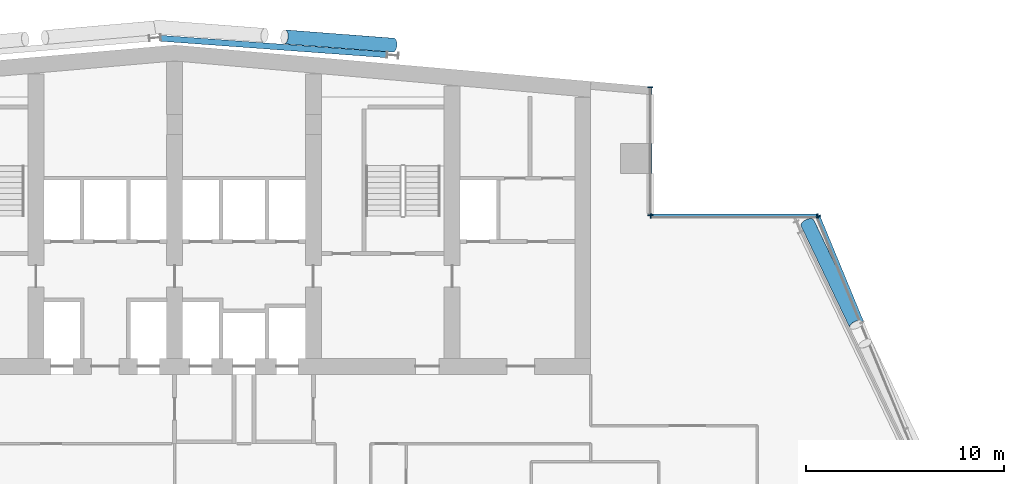
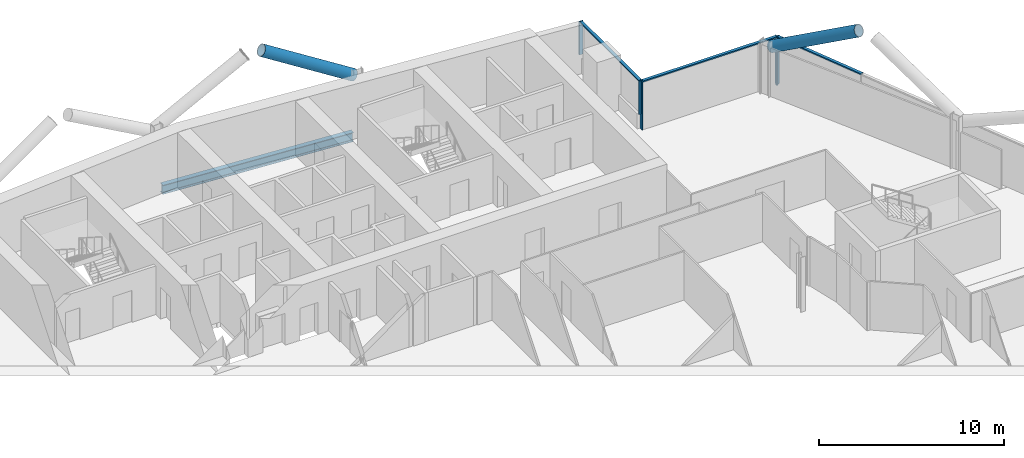
# One storey, part 10 of 26: 10 members, 1 beam, 3 elements without a shape of their own.
"""IFC4 building model written with IfcOpenShell, lengths in metres."""

from ifc_helpers import new_model, si_unit, direction, frame, origin, origin_2d, place, context, subcontext, project, spatial, rectangle, hollow_circle, i_section, extrude, material, material_profile, profile_set, type_object, element, aggregate, save


model = new_model("IFC4")

# Units and contexts
model_context = context("Model", 3, precision=1e-05, world=origin(), true_north=direction((0.0, 1.0)))
body_context = subcontext(model_context, "Body", "Model", "MODEL_VIEW")
ifc_project = project(units=[si_unit("LENGTHUNIT", "METRE"), si_unit("AREAUNIT", "SQUARE_METRE"), si_unit("VOLUMEUNIT", "CUBIC_METRE"), si_unit("PLANEANGLEUNIT", "RADIAN"), si_unit("MASSUNIT", "GRAM", prefix="KILO")], contexts=[model_context])

# Site, building, storey
site_placement = place(None, origin())
site = spatial("IfcSite", under=ifc_project, at=site_placement, CompositionType="ELEMENT")
building_placement = place(site_placement, origin())
building = spatial("IfcBuilding", under=site, at=building_placement, Name="Wharfspan Tower", CompositionType="ELEMENT")
storey_placement = place(building_placement, frame((0.0, 0.0, 169.899902)))
storey = spatial("IfcBuildingStorey", under=building, at=storey_placement, Name="L41", CompositionType="ELEMENT", Elevation=169.899902)

# Beam
ifc_material_1 = material(Name="Steel S355J2", Category="steel")
ifc_material_profile_1 = material_profile(ifc_material_1, i_section(OverallWidth=0.300049, OverallDepth=0.600098, WebThickness=0.015381, FlangeThickness=0.030029, FilletRadius=0.0271, at=origin_2d()))
ifc_profile_set_1 = profile_set([ifc_material_profile_1], Name="Steel S355J2")
beam_type = type_object("IfcBeamType", Name="Edge beam HEB 600", PredefinedType="SPANDREL", material=ifc_profile_set_1)
beam_placement = place(storey_placement, frame((36.299072, 50.965332, -0.699951), z_axis=(0.997353, -0.072713, 0.0), x_axis=(0.072713, 0.997353, 0.0)))
element("IfcBeam", 1, at=beam_placement, inside=storey, type_object=beam_type, Name="Edge beam L41 R.2 to R.3", PredefinedType="SPANDREL", context=body_context, shape_type="SweptSolid", body=[
    extrude(i_section(OverallWidth=0.300049, OverallDepth=0.600098, WebThickness=0.015381, FlangeThickness=0.030029, FilletRadius=0.0271, at=origin_2d()), origin(), (0.0, 0.0, 1.0), 11.436035),
])

# Curtain wall, member
ifc_material_2 = material(Name="Aluminium 6063-T6", Category="aluminium")
curtain_wall_type = type_object("IfcCurtainWallType", Name="CURTAIN WALL PROW AND END", PredefinedType="NOTDEFINED", material=ifc_material_2)
curtain_wall_1_placement = place(storey_placement, origin())
curtain_wall_1 = element("IfcCurtainWall", 2, at=curtain_wall_1_placement, inside=storey, type_object=curtain_wall_type, Name="Curtain wall E", PredefinedType="NOTDEFINED")
ifc_material_profile_2 = material_profile(ifc_material_2, rectangle(XDim=0.23999, YDim=0.060059, at=origin_2d()))
ifc_profile_set_2 = profile_set([ifc_material_profile_2], Name="Aluminium 6063-T6")
member_type_1 = type_object("IfcMemberType", Name="MULLION PROW AND END 60x240", PredefinedType="MULLION", material=ifc_profile_set_2)
member_1_placement = place(storey_placement, frame((69.488525, 41.972168, 0.0), z_axis=(0.0, 0.0, 1.0), x_axis=(-0.924325, -0.381602, 0.0)))
member_1 = element("IfcMember", 3, at=member_1_placement, type_object=member_type_1, Name="Curtain wall E mullion 8", PredefinedType="MULLION", context=body_context, shape_type="SweptSolid", body=[
    extrude(rectangle(XDim=0.23999, YDim=0.060059, at=origin_2d()), origin(), (0.0, 0.0, 1.0), 3.200195),
])

# Curtain wall, members
curtain_wall_2_placement = place(storey_placement, origin())
curtain_wall_2 = element("IfcCurtainWall", 4, at=curtain_wall_2_placement, inside=storey, type_object=curtain_wall_type, Name="Curtain wall NRE-H", PredefinedType="NOTDEFINED")
member_2_placement = place(storey_placement, frame((69.447021, 42.0, 0.0), z_axis=(0.0, 0.0, 1.0), x_axis=(0.0, -1.0, 0.0)))
member_2 = element("IfcMember", 5, at=member_2_placement, type_object=member_type_1, Name="Curtain wall NRE-H mullion 1", PredefinedType="MULLION", context=body_context, shape_type="SweptSolid", body=[
    extrude(rectangle(XDim=0.23999, YDim=0.060059, at=origin_2d()), origin(), (0.0, 0.0, 1.0), 3.200195),
])
member_3_placement = place(storey_placement, frame((61.030029, 42.0, 0.0), z_axis=(0.0, 0.0, 1.0), x_axis=(0.0, -1.0, 0.0)))
member_3 = element("IfcMember", 6, at=member_3_placement, type_object=member_type_1, Name="Curtain wall NRE-H mullion 2", PredefinedType="MULLION", context=body_context, shape_type="SweptSolid", body=[
    extrude(rectangle(XDim=0.23999, YDim=0.060059, at=origin_2d()), origin(), (0.0, 0.0, 1.0), 3.200195),
])

curtain_wall_3_placement = place(storey_placement, origin())
curtain_wall_3 = element("IfcCurtainWall", 7, at=curtain_wall_3_placement, inside=storey, type_object=curtain_wall_type, Name="Curtain wall NRE-V", PredefinedType="NOTDEFINED")
member_4_placement = place(storey_placement, frame((61.0, 42.030029, 1.0), z_axis=(0.0, 0.0, 1.0), x_axis=(-1.0, 0.0, 0.0)))
member_4 = element("IfcMember", 8, at=member_4_placement, type_object=member_type_1, Name="Curtain wall NRE-V mullion 1", PredefinedType="MULLION", context=body_context, shape_type="SweptSolid", body=[
    extrude(rectangle(XDim=0.23999, YDim=0.060059, at=origin_2d()), origin(), (0.0, 0.0, 1.0), 2.200195),
])
member_5_placement = place(storey_placement, frame((61.0, 48.494873, 1.0), z_axis=(0.0, 0.0, 1.0), x_axis=(-1.0, 0.0, 0.0)))
member_5 = element("IfcMember", 9, at=member_5_placement, type_object=member_type_1, Name="Curtain wall NRE-V mullion 2", PredefinedType="MULLION", context=body_context, shape_type="SweptSolid", body=[
    extrude(rectangle(XDim=0.23999, YDim=0.060059, at=origin_2d()), origin(), (0.0, 0.0, 1.0), 2.200195),
])

# Members
ifc_material_3 = material(Name="Steel S460NH", Category="steel")
ifc_material_profile_3 = material_profile(ifc_material_3, hollow_circle(Radius=0.355469, WallThickness=0.035889, at=origin_2d()))
ifc_profile_set_3 = profile_set([ifc_material_profile_3], Name="Steel S460NH")
member_type_2 = type_object("IfcMemberType", Name="Mega brace CHS 711x36", PredefinedType="BRACE", material=ifc_profile_set_3)
member_6_placement = place(storey_placement, frame((68.938721, 41.643066, 2.900146), z_axis=(0.374119, -0.780731, 0.500494), x_axis=(0.90181, 0.432137, -3e-06)))
element("IfcMember", 10, at=member_6_placement, inside=storey, type_object=member_type_2, Name="Mega brace E6 L42 part 3", PredefinedType="BRACE", context=body_context, shape_type="SweptSolid", body=[
    extrude(hollow_circle(Radius=0.355469, WallThickness=0.035889, at=origin_2d()), origin(), (0.0, 0.0, 1.0), 6.581787),
])
member_7_placement = place(storey_placement, frame((48.036865, 50.617676, 2.900146), z_axis=(-0.855612, 0.065363, 0.513474), x_axis=(-0.07617, -0.997093, 2e-06)))
element("IfcMember", 11, at=member_7_placement, inside=storey, type_object=member_type_2, Name="Mega brace N8 L42 part 3", PredefinedType="BRACE", context=body_context, shape_type="SweptSolid", body=[
    extrude(hollow_circle(Radius=0.355469, WallThickness=0.035889, at=origin_2d()), origin(), (0.0, 0.0, 1.0), 6.420654),
])

# Member
ifc_material_profile_4 = material_profile(ifc_material_2, rectangle(XDim=0.179932, YDim=0.080078, at=origin_2d()))
ifc_profile_set_4 = profile_set([ifc_material_profile_4], Name="Aluminium 6063-T6")
member_type_3 = type_object("IfcMemberType", Name="TRANSOM PROW AND END 80x180", PredefinedType="USERDEFINED", material=ifc_profile_set_4)
member_8_placement = place(storey_placement, frame((71.683105, 36.65625, 3.160156), z_axis=(-0.38158, 0.924336, 0.0), x_axis=(-0.924336, -0.38158, 0.0)))
member_8 = element("IfcMember", 12, at=member_8_placement, type_object=member_type_3, Name="Curtain wall E transom 7", ObjectType="TRANSOM", PredefinedType="USERDEFINED", context=body_context, shape_type="SweptSolid", body=[
    extrude(rectangle(XDim=0.179932, YDim=0.080078, at=origin_2d()), origin(), (0.0, 0.0, 1.0), 5.721191),
])

aggregate(curtain_wall_1, [member_1, member_8])

member_9_placement = place(storey_placement, frame((69.416992, 42.0, 3.160156), z_axis=(-1.0, 0.0, 0.0), x_axis=(0.0, -1.0, 0.0)))
member_9 = element("IfcMember", 13, at=member_9_placement, type_object=member_type_3, Name="Curtain wall NRE-H transom 1", ObjectType="TRANSOM", PredefinedType="USERDEFINED", context=body_context, shape_type="SweptSolid", body=[
    extrude(rectangle(XDim=0.179932, YDim=0.080078, at=origin_2d()), origin(), (0.0, 0.0, 1.0), 8.356934),
])

aggregate(curtain_wall_2, [member_2, member_3, member_9])

member_10_placement = place(storey_placement, frame((61.0, 42.060059, 3.160156), z_axis=(0.0, 1.0, 0.0), x_axis=(-1.0, 0.0, 0.0)))
member_10 = element("IfcMember", 14, at=member_10_placement, type_object=member_type_3, Name="Curtain wall NRE-V transom 1", ObjectType="TRANSOM", PredefinedType="USERDEFINED", context=body_context, shape_type="SweptSolid", body=[
    extrude(rectangle(XDim=0.179932, YDim=0.080078, at=origin_2d()), origin(), (0.0, 0.0, 1.0), 6.404785),
])

aggregate(curtain_wall_3, [member_4, member_5, member_10])

save(model, "model.ifc")
